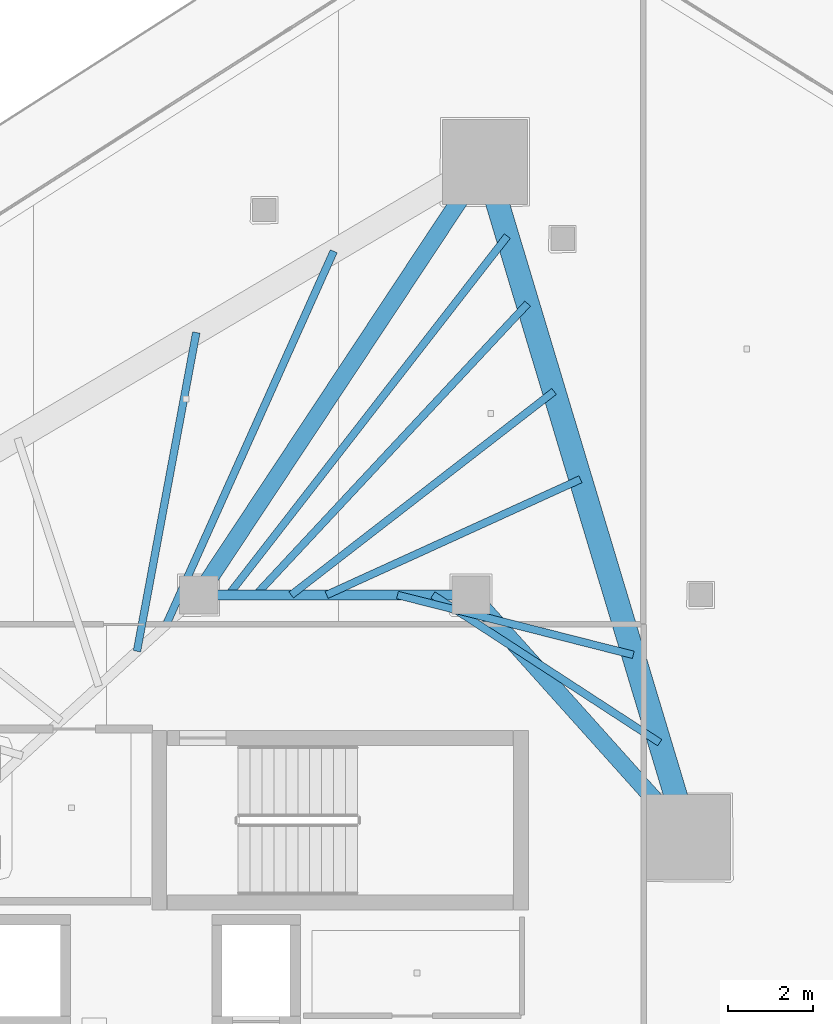
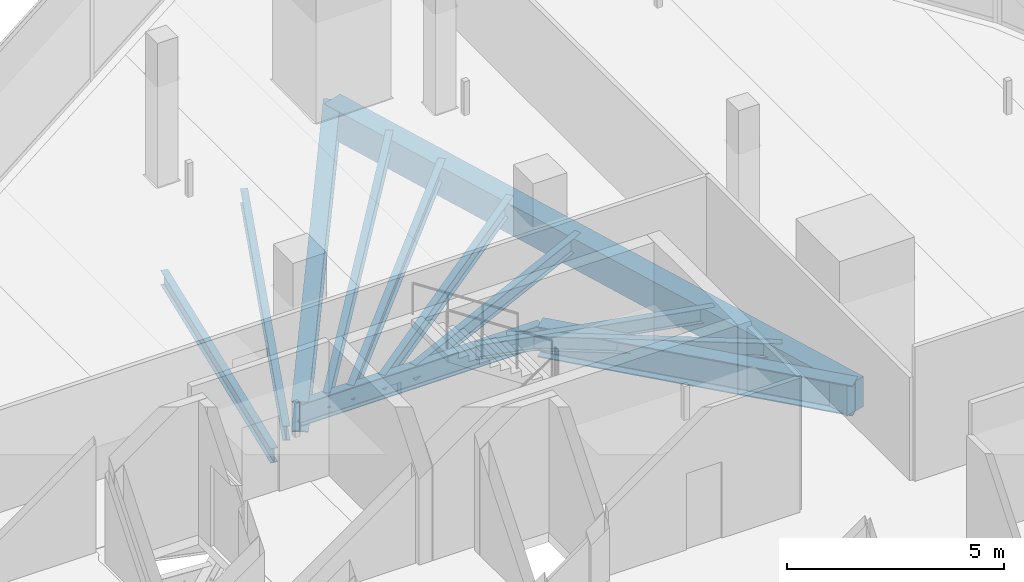
# One storey, part 19 of 36: 12 beams.
"""IFC4 building model written with IfcOpenShell, lengths in metres."""

from ifc_helpers import new_model, si_unit, direction, frame, origin, origin_2d, place, context, subcontext, project, spatial, rectangle, i_section, extrude, material, material_profile, profile_set, type_object, element, save


model = new_model("IFC4")

# Units and contexts
model_context = context("Model", 3, precision=1e-05, world=origin(), true_north=direction((0.0, 1.0)))
body_context = subcontext(model_context, "Body", "Model", "MODEL_VIEW")
ifc_project = project(units=[si_unit("LENGTHUNIT", "METRE"), si_unit("AREAUNIT", "SQUARE_METRE"), si_unit("VOLUMEUNIT", "CUBIC_METRE"), si_unit("PLANEANGLEUNIT", "RADIAN"), si_unit("MASSUNIT", "GRAM", prefix="KILO")], contexts=[model_context])

# Site, building, storey
site_placement = place(None, origin())
site = spatial("IfcSite", under=ifc_project, at=site_placement, CompositionType="ELEMENT")
building_placement = place(site_placement, origin())
building = spatial("IfcBuilding", under=site, at=building_placement, Name="Qorvath Tower", CompositionType="ELEMENT")
storey_placement = place(building_placement, frame((0.0, 0.0, 192.89990234375)))
storey = spatial("IfcBuildingStorey", under=building, at=storey_placement, Name="L44", CompositionType="ELEMENT", Elevation=192.89990234375)

# Beams
ifc_material_1 = material(Name="Steel ASTM A992 Grade 50", Category="steel")
ifc_material_profile_1 = material_profile(ifc_material_1, i_section(OverallWidth=0.39892578125, OverallDepth=0.85498046875, WebThickness=0.018310546875, FlangeThickness=0.029296875, FilletRadius=0.02001953125, at=origin_2d()), Name="W33x201")
ifc_profile_set_1 = profile_set([ifc_material_profile_1], Name="Steel ASTM A992 Grade 50")
beam_type_1 = type_object("IfcBeamType", Name="BM-FG2", PredefinedType="BEAM", material=ifc_profile_set_1)
beam_1_placement = place(storey_placement, frame((-23.60009765625, 11.449951171875, -0.697509765625), z_axis=(0.551500517741, 0.834174549439, 0.0), x_axis=(-0.834174549439, 0.551500517741, 0.0)))
element("IfcBeam", 1, at=beam_1_placement, inside=storey, type_object=beam_type_1, Name="Radial Floor Girder CC1-MC6 L44", PredefinedType="BEAM", context=body_context, shape_type="SweptSolid", body=[
    extrude(i_section(OverallWidth=0.39892578125, OverallDepth=0.85498046875, WebThickness=0.018310546875, FlangeThickness=0.029296875, FilletRadius=0.02001953125, at=origin_2d()), origin(), (0.0, 0.0, 1.0), 12.200439453125),
])
beam_2_placement = place(storey_placement, frame((-17.199951171875, 11.449951171875, -0.697509765625), z_axis=(0.667543184261, -0.744571082669, 0.0), x_axis=(0.744571082669, 0.667543184261, 0.0)))
element("IfcBeam", 2, at=beam_2_placement, inside=storey, type_object=beam_type_1, Name="Radial Floor Girder CC2-MC5 L44", PredefinedType="BEAM", context=body_context, shape_type="SweptSolid", body=[
    extrude(i_section(OverallWidth=0.39892578125, OverallDepth=0.85498046875, WebThickness=0.018310546875, FlangeThickness=0.029296875, FilletRadius=0.02001953125, at=origin_2d()), origin(), (0.0, 0.0, 1.0), 7.644775390625),
])
ifc_material_2 = material(Name="Steel ASTM A992 Grade 50", Category="steel")
ifc_material_profile_2 = material_profile(ifc_material_2, i_section(OverallWidth=0.22998046875, OverallDepth=0.616943359375, WebThickness=0.01318359375, FlangeThickness=0.022216796875, FilletRadius=0.014892578125, at=origin_2d()), Name="W24x94")
ifc_profile_set_2 = profile_set([ifc_material_profile_2], Name="Steel ASTM A992 Grade 50")
beam_type_2 = type_object("IfcBeamType", Name="BM-FG6", PredefinedType="BEAM", material=ifc_profile_set_2)
beam_3_placement = place(storey_placement, frame((-23.60009765625, 11.449951171875, -0.57861328125), z_axis=(1.0, 0.0, 0.0), x_axis=(0.0, 1.0, 0.0)))
element("IfcBeam", 3, at=beam_3_placement, inside=storey, type_object=beam_type_2, Name="Core Ring Girder CC1-CC2 L44", PredefinedType="BEAM", context=body_context, shape_type="SweptSolid", body=[
    extrude(i_section(OverallWidth=0.22998046875, OverallDepth=0.616943359375, WebThickness=0.01318359375, FlangeThickness=0.022216796875, FilletRadius=0.014892578125, at=origin_2d()), origin(), (0.0, 0.0, 1.0), 6.400146484375),
])
ifc_material_3 = material(Name="Steel ASTM A992 Grade 50", Category="steel")
ifc_material_profile_3 = material_profile(ifc_material_3, i_section(OverallWidth=0.177978515625, OverallDepth=0.406005859375, WebThickness=0.0078125, FlangeThickness=0.0126953125, FilletRadius=0.010986328125, at=origin_2d()), Name="W16x40")
ifc_profile_set_3 = profile_set([ifc_material_profile_3], Name="Steel ASTM A992 Grade 50")
beam_type_3 = type_object("IfcBeamType", Name="BM-FJ3", PredefinedType="JOIST", material=ifc_profile_set_3)
beam_4_placement = place(storey_placement, frame((-18.095947265625, 11.449951171875, -0.472900390625), z_axis=(0.838041756057, -0.545606098853, 0.0), x_axis=(0.545606098853, 0.838041756057, 0.0)))
element("IfcBeam", 4, at=beam_4_placement, inside=storey, type_object=beam_type_3, Name="Composite Floor Joist NE1 L44", PredefinedType="JOIST", context=body_context, shape_type="SweptSolid", body=[
    extrude(i_section(OverallWidth=0.177978515625, OverallDepth=0.406005859375, WebThickness=0.0078125, FlangeThickness=0.0126953125, FilletRadius=0.010986328125, at=origin_2d()), origin(), (0.0, 0.0, 1.0), 6.36083984375),
])
beam_5_placement = place(storey_placement, frame((-18.927978515625, 11.449951171875, -0.472900390625), z_axis=(0.969231577698, -0.246150662794, 0.0), x_axis=(0.246150662794, 0.969231577698, 0.0)))
element("IfcBeam", 5, at=beam_5_placement, inside=storey, type_object=beam_type_3, Name="Composite Floor Joist NE2 L44", PredefinedType="JOIST", context=body_context, shape_type="SweptSolid", body=[
    extrude(i_section(OverallWidth=0.177978515625, OverallDepth=0.406005859375, WebThickness=0.0078125, FlangeThickness=0.0126953125, FilletRadius=0.010986328125, at=origin_2d()), origin(), (0.0, 0.0, 1.0), 5.718017578125),
])
beam_6_placement = place(storey_placement, frame((-20.592041015625, 11.449951171875, -0.472900390625), z_axis=(0.909945081179, 0.414728765868, 0.0), x_axis=(-0.414728765868, 0.909945081179, 0.0)))
element("IfcBeam", 6, at=beam_6_placement, inside=storey, type_object=beam_type_3, Name="Composite Floor Joist NE4 L44", PredefinedType="JOIST", context=body_context, shape_type="SweptSolid", body=[
    extrude(i_section(OverallWidth=0.177978515625, OverallDepth=0.406005859375, WebThickness=0.0078125, FlangeThickness=0.0126953125, FilletRadius=0.010986328125, at=origin_2d()), origin(), (0.0, 0.0, 1.0), 6.554931640625),
])
beam_7_placement = place(storey_placement, frame((-21.424072265625, 11.449951171875, -0.472900390625), z_axis=(0.790693445503, 0.612212279555, 0.0), x_axis=(-0.612212279555, 0.790693445503, 0.0)))
element("IfcBeam", 7, at=beam_7_placement, inside=storey, type_object=beam_type_3, Name="Composite Floor Joist NE5 L44", PredefinedType="JOIST", context=body_context, shape_type="SweptSolid", body=[
    extrude(i_section(OverallWidth=0.177978515625, OverallDepth=0.406005859375, WebThickness=0.0078125, FlangeThickness=0.0126953125, FilletRadius=0.010986328125, at=origin_2d()), origin(), (0.0, 0.0, 1.0), 7.810546875),
])
beam_8_placement = place(storey_placement, frame((-22.256103515625, 11.449951171875, -0.472900390625), z_axis=(0.682249490937, 0.731119437654, 0.0), x_axis=(-0.731119437654, 0.682249490937, 0.0)))
element("IfcBeam", 8, at=beam_8_placement, inside=storey, type_object=beam_type_3, Name="Composite Floor Joist NE6 L44", PredefinedType="JOIST", context=body_context, shape_type="SweptSolid", body=[
    extrude(i_section(OverallWidth=0.177978515625, OverallDepth=0.406005859375, WebThickness=0.0078125, FlangeThickness=0.0126953125, FilletRadius=0.010986328125, at=origin_2d()), origin(), (0.0, 0.0, 1.0), 9.362060546875),
])
beam_9_placement = place(storey_placement, frame((-22.89599609375, 11.449951171875, -0.472900390625), z_axis=(0.61345131907, 0.789732536452, 0.0), x_axis=(-0.789732536452, 0.61345131907, 0.0)))
element("IfcBeam", 9, at=beam_9_placement, inside=storey, type_object=beam_type_3, Name="Composite Floor Joist NE7 L44", PredefinedType="JOIST", context=body_context, shape_type="SweptSolid", body=[
    extrude(i_section(OverallWidth=0.177978515625, OverallDepth=0.406005859375, WebThickness=0.0078125, FlangeThickness=0.0126953125, FilletRadius=0.010986328125, at=origin_2d()), origin(), (0.0, 0.0, 1.0), 10.676513671875),
])
beam_10_placement = place(storey_placement, frame((-25.049072265625, 10.126953125, -0.472900390625), z_axis=(0.183026775988, 0.983107928598, 0.0), x_axis=(-0.983107928598, 0.183026775988, 0.0)))
element("IfcBeam", 10, at=beam_10_placement, inside=storey, type_object=beam_type_3, Name="Composite Floor Joist NW6 L44", PredefinedType="JOIST", context=body_context, shape_type="SweptSolid", body=[
    extrude(i_section(OverallWidth=0.177978515625, OverallDepth=0.406005859375, WebThickness=0.0078125, FlangeThickness=0.0126953125, FilletRadius=0.010986328125, at=origin_2d()), origin(), (0.0, 0.0, 1.0), 7.617919921875),
])
beam_11_placement = place(storey_placement, frame((-24.35888671875, 10.757080078125, -0.472900390625), z_axis=(0.409327209141, 0.912387656568, 0.0), x_axis=(-0.912387656568, 0.409327209141, 0.0)))
element("IfcBeam", 11, at=beam_11_placement, inside=storey, type_object=beam_type_3, Name="Composite Floor Joist NW7 L44", PredefinedType="JOIST", context=body_context, shape_type="SweptSolid", body=[
    extrude(i_section(OverallWidth=0.177978515625, OverallDepth=0.406005859375, WebThickness=0.0078125, FlangeThickness=0.0126953125, FilletRadius=0.010986328125, at=origin_2d()), origin(), (0.0, 0.0, 1.0), 9.611083984375),
])
ifc_material_4 = material(Name="Concrete C50/60", Category="concrete")
ifc_material_profile_4 = material_profile(ifc_material_4, rectangle(XDim=0.550048828125, YDim=0.85009765625, at=origin_2d()), Name="RCB 850x550")
ifc_profile_set_4 = profile_set([ifc_material_profile_4], Name="Concrete C50/60")
beam_type_4 = type_object("IfcBeamType", Name="BM-RCB2", PredefinedType="SPANDREL", material=ifc_profile_set_4)
beam_12_placement = place(storey_placement, frame((-12.0966796875, 5.7578125, -0.695068359375), z_axis=(-0.28812763802, 0.957592013443, 0.0), x_axis=(-0.957592013443, -0.28812763802, 0.0)))
element("IfcBeam", 12, at=beam_12_placement, inside=storey, type_object=beam_type_4, Name="Perimeter Loggia Frame Beam MC5-MC6 L44", PredefinedType="SPANDREL", context=body_context, shape_type="SweptSolid", body=[
    extrude(rectangle(XDim=0.550048828125, YDim=0.85009765625, at=origin_2d()), origin(), (0.0, 0.0, 1.0), 16.572265625),
])

save(model, "model.ifc")
